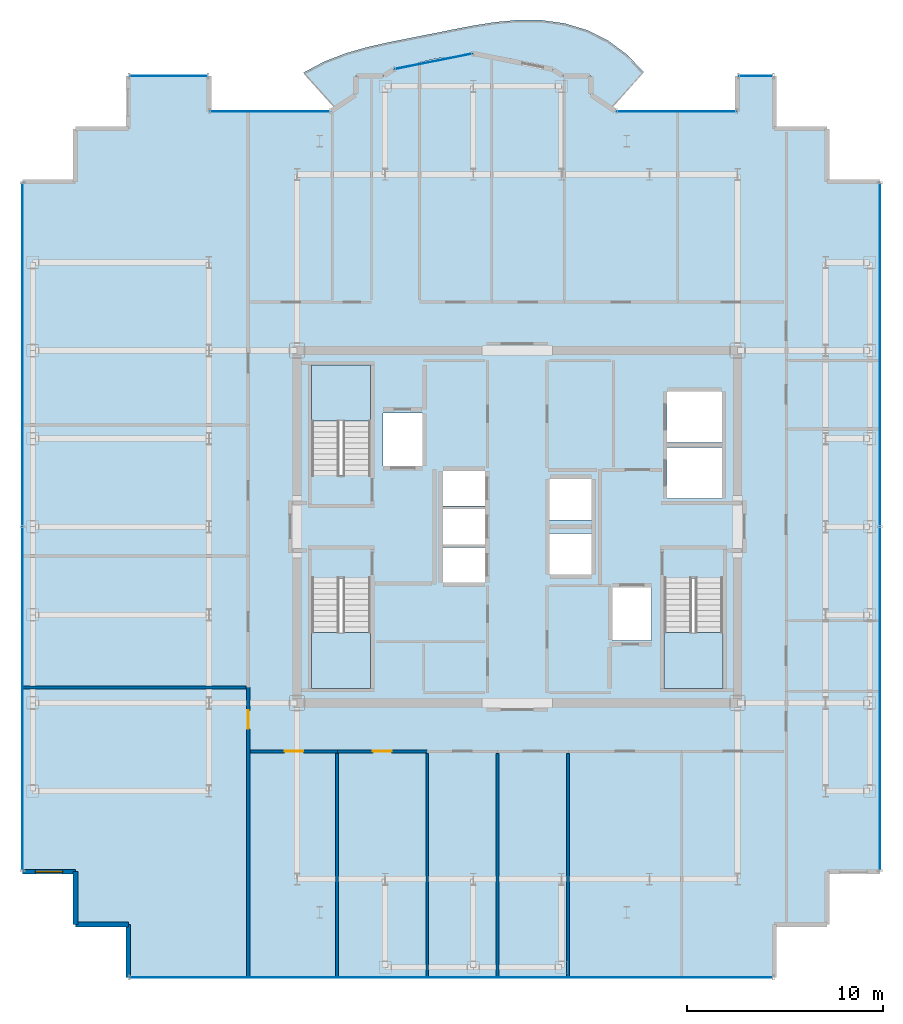
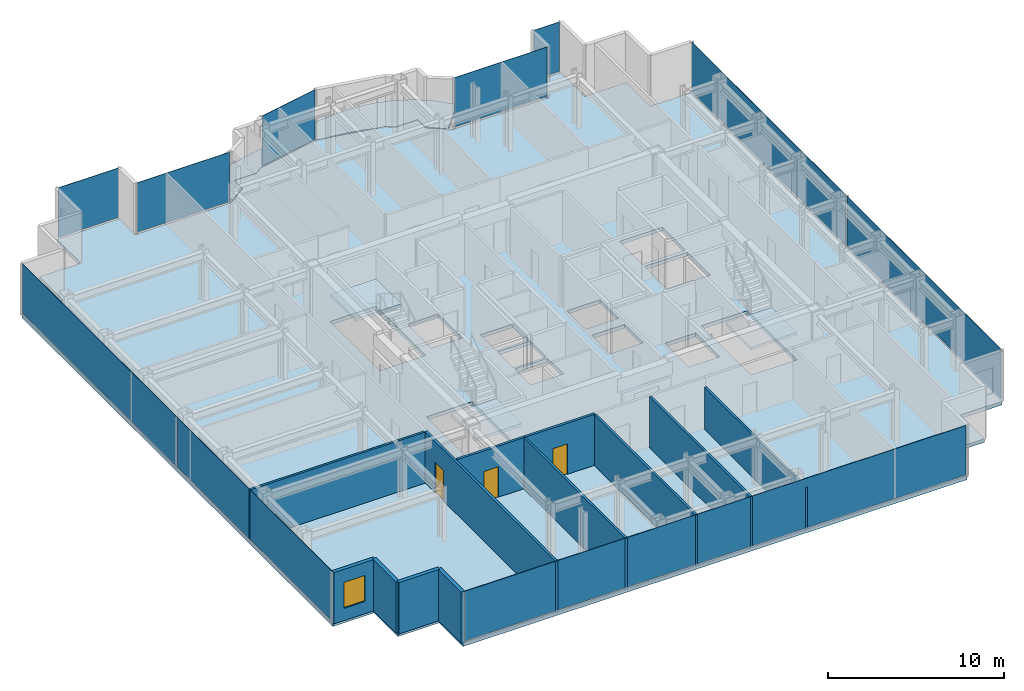
# One storey, part 12 of 18: 12 walls, 10 plates, 5 slabs, 3 doors, 1 window, 4 openings, 11 elements without a shape of their own.
"""IFC4 building model written with IfcOpenShell, lengths in metres."""

from ifc_helpers import new_model, si_unit, direction, frame, frame_2d, origin, origin_2d, place, context, subcontext, project, spatial, polyline, rectangle, outline, extrude, source, transform, mapped, material, layer, layer_set, type_object, element, fill, aggregate, save


model = new_model("IFC4")

# Units and contexts
model_context = context("Model", 3, precision=1e-05, world=origin(), true_north=direction((0.0, 1.0)))
body_context = subcontext(model_context, "Body", "Model", "MODEL_VIEW")
ifc_project = project(units=[si_unit("LENGTHUNIT", "METRE"), si_unit("AREAUNIT", "SQUARE_METRE"), si_unit("VOLUMEUNIT", "CUBIC_METRE"), si_unit("PLANEANGLEUNIT", "RADIAN"), si_unit("MASSUNIT", "GRAM", prefix="KILO")], contexts=[model_context])

# Site, building, storey
site_placement = place(None, origin())
site = spatial("IfcSite", under=ifc_project, at=site_placement, CompositionType="ELEMENT")
building_placement = place(site_placement, origin())
building = spatial("IfcBuilding", under=site, at=building_placement, Name="Nefas-Gora Pilgrimage Tower", CompositionType="ELEMENT")
storey_placement = place(building_placement, frame((0.0, 0.0, 272.199951171875)))
storey = spatial("IfcBuildingStorey", under=building, at=storey_placement, Name="L68", CompositionType="ELEMENT", Elevation=272.199951171875)

# Slabs
ifc_material_1 = material(Name="Concrete C40/50", Category="concrete")
ifc_layer_1 = layer(ifc_material_1, 0.22509765625)
ifc_layer_set_1 = layer_set([ifc_layer_1], Name="Concrete C40/50")
slab_type_1 = type_object("IfcSlabType", Name="SLB-BAL-P1", PredefinedType="FLOOR", material=ifc_layer_set_1)
slab_1_placement = place(storey_placement, frame((0.0, 0.0, -0.224853515625)))
element("IfcSlab", 1, at=slab_1_placement, inside=storey, type_object=slab_type_1, Name="L68 Sinusoidal Lobe Balcony Slab N (Phase 1)", PredefinedType="FLOOR", context=body_context, shape_type="SweptSolid", body=[
    extrude(outline(polyline([(-9.28759765625, 21.385986328125), (-9.224609375, 21.427978515625), (-8.538330078125, 21.9912109375), (-8.260009765625, 22.179931640625), (-8.260009765625, 23.02001953125), (-8.260009765625, 23.02099609375), (-8.259765625, 23.02197265625), (-8.259521484375, 23.02294921875), (-8.25927734375, 23.023681640625), (-8.2587890625, 23.024658203125), (-8.25830078125, 23.025634765625), (-8.2578125, 23.0263671875), (-8.257080078125, 23.027099609375), (-8.25634765625, 23.027587890625), (-8.255615234375, 23.0283203125), (-8.254638671875, 23.02880859375), (-8.25390625, 23.029296875), (-8.2529296875, 23.029541015625), (-8.251953125, 23.02978515625), (-8.2509765625, 23.030029296875), (-8.25, 23.030029296875), (-6.8271484375, 23.030029296875), (-6.31298828125, 23.37353515625), (-6.31201171875, 23.3740234375), (-6.311279296875, 23.37451171875), (-6.310302734375, 23.375), (-6.309326171875, 23.375), (-5.63037109375, 23.51025390625), (-5.102783203125, 23.685302734375), (-4.165283203125, 23.904052734375), (-3.211669921875, 24.035888671875), (-2.919921875, 24.04931640625), (-2.251953125, 24.18212890625), (-2.2509765625, 24.182373046875), (-2.25, 24.182373046875), (-2.2490234375, 24.182373046875), (-2.248046875, 24.18212890625), (-1.580078125, 24.04931640625), (-1.288330078125, 24.035888671875), (-0.334716796875, 23.904052734375), (0.602783203125, 23.685302734375), (1.13037109375, 23.51025390625), (1.809326171875, 23.375), (1.810302734375, 23.375), (1.811279296875, 23.37451171875), (1.81201171875, 23.3740234375), (1.81298828125, 23.37353515625), (2.3271484375, 23.030029296875), (3.75, 23.030029296875), (3.7509765625, 23.030029296875), (3.751953125, 23.02978515625), (3.7529296875, 23.029541015625), (3.75390625, 23.029296875), (3.754638671875, 23.02880859375), (3.755615234375, 23.0283203125), (3.75634765625, 23.027587890625), (3.757080078125, 23.027099609375), (3.7578125, 23.0263671875), (3.75830078125, 23.025634765625), (3.7587890625, 23.024658203125), (3.75927734375, 23.023681640625), (3.759521484375, 23.02294921875), (3.759765625, 23.02197265625), (3.760009765625, 23.02099609375), (3.760009765625, 23.02001953125), (3.760009765625, 22.179931640625), (4.038330078125, 21.9912109375), (4.724609375, 21.427978515625), (4.78759765625, 21.385986328125), (6.4453125, 23.22705078125), (5.615234375, 24.102783203125), (4.64697265625, 24.82470703125), (3.56640625, 25.364501953125), (2.41064453125, 25.711181640625), (1.22021484375, 25.87451171875), (0.031982421875, 25.882080078125), (-1.128662109375, 25.7744140625), (-2.25, 25.595947265625), (-3.335693359375, 25.38671875), (-4.400634765625, 25.17333984375), (-5.463623046875, 24.964599609375), (-6.54150390625, 24.749755859375), (-7.64111328125, 24.502197265625), (-8.754638671875, 24.184814453125), (-9.85888671875, 23.759521484375), (-10.916748046875, 23.1953125), (-9.28759765625, 21.385986328125)])), origin(), (0.0, 0.0, 1.0), 0.224853515625),
])
ifc_layer_2 = layer(ifc_material_1, 0.25)
ifc_layer_set_2 = layer_set([ifc_layer_2], Name="Concrete C40/50")
slab_type_2 = type_object("IfcSlabType", Name="SLB-TWR-260", PredefinedType="FLOOR", material=ifc_layer_set_2)
slab_2_placement = place(storey_placement, frame((0.0, 0.0, -0.25)))
element("IfcSlab", 2, at=slab_2_placement, inside=storey, type_object=slab_type_2, Name="L68 Structural Floor Slab", PredefinedType="FLOOR", context=body_context, shape_type="SweptSolid", body=[
    extrude(outline(polyline([(15.820068359375, -17.6201171875), (18.52001953125, -17.6201171875), (18.52001953125, 17.6201171875), (15.820068359375, 17.6201171875), (15.820068359375, 20.320068359375), (13.1201171875, 20.320068359375), (13.1201171875, 23.02001953125), (11.25, 23.02001953125), (11.25, 21.219970703125), (5.01806640625, 21.219970703125), (3.75, 22.0673828125), (3.75, 23.02001953125), (2.32421875, 23.02001953125), (1.807373046875, 23.365234375), (-2.25, 24.17236328125), (-6.307373046875, 23.365234375), (-6.82421875, 23.02001953125), (-8.25, 23.02001953125), (-8.25, 22.0673828125), (-9.51806640625, 21.219970703125), (-15.75, 21.219970703125), (-15.75, 23.02001953125), (-19.8701171875, 23.02001953125), (-19.8701171875, 20.320068359375), (-22.570068359375, 20.320068359375), (-22.570068359375, 17.6201171875), (-25.27001953125, 17.6201171875), (-25.27001953125, -17.6201171875), (-22.570068359375, -17.6201171875), (-22.570068359375, -20.320068359375), (-19.8701171875, -20.320068359375), (-19.8701171875, -23.02001953125), (13.1201171875, -23.02001953125), (13.1201171875, -20.320068359375), (15.820068359375, -20.320068359375), (15.820068359375, -17.6201171875)]), holes=[polyline([(-10.5, 2.639892578125), (-10.5, 8.25), (-7.5, 8.25), (-7.5, 2.639892578125), (-10.5, 2.639892578125)]), polyline([(10.5, -2.639892578125), (10.5, -8.25), (7.5, -8.25), (7.5, -2.639892578125), (10.5, -2.639892578125)]), polyline([(-7.5, -2.639892578125), (-7.5, -8.25), (-10.5, -8.25), (-10.5, -2.639892578125), (-7.5, -2.639892578125)]), polyline([(-6.85009765625, 5.800048828125), (-4.85009765625, 5.800048828125), (-4.85009765625, 3.10009765625), (-6.85009765625, 3.10009765625), (-6.85009765625, 5.800048828125)]), polyline([(4.85009765625, -3.10009765625), (6.85009765625, -3.10009765625), (6.85009765625, -5.800048828125), (4.85009765625, -5.800048828125), (4.85009765625, -3.10009765625)]), polyline([(7.64990234375, 4.050048828125), (10.449951171875, 4.050048828125), (10.449951171875, 1.449951171875), (7.64990234375, 1.449951171875), (7.64990234375, 4.050048828125)]), polyline([(7.64990234375, 6.89990234375), (10.449951171875, 6.89990234375), (10.449951171875, 4.300048828125), (7.64990234375, 4.300048828125), (7.64990234375, 6.89990234375)]), polyline([(-3.800048828125, -1.050048828125), (-1.64990234375, -1.050048828125), (-1.64990234375, -2.85009765625), (-3.800048828125, -2.85009765625), (-3.800048828125, -1.050048828125)]), polyline([(-3.800048828125, 0.89990234375), (-1.64990234375, 0.89990234375), (-1.64990234375, -0.89990234375), (-3.800048828125, -0.89990234375), (-3.800048828125, 0.89990234375)]), polyline([(-3.800048828125, 2.85009765625), (-1.64990234375, 2.85009765625), (-1.64990234375, 1.050048828125), (-3.800048828125, 1.050048828125), (-3.800048828125, 2.85009765625)]), polyline([(1.64990234375, -0.35009765625), (3.800048828125, -0.35009765625), (3.800048828125, -2.449951171875), (1.64990234375, -2.449951171875), (1.64990234375, -0.35009765625)]), polyline([(1.64990234375, 2.449951171875), (3.800048828125, 2.449951171875), (3.800048828125, 0.35009765625), (1.64990234375, 0.35009765625), (1.64990234375, 2.449951171875)])]), origin(), (0.0, 0.0, 1.0), 0.25),
])

# Stair, slab
ifc_material_2 = material(Name="Concrete C45/55", Category="concrete")
stair_type = type_object("IfcStairType", Name="STR-1400-R1727", PredefinedType="HALF_TURN_STAIR", material=ifc_material_2)
stair_1_placement = place(storey_placement, origin())
stair_1 = element("IfcStair", 3, at=stair_1_placement, inside=storey, type_object=stair_type, Name="L68 Pressurised Tower Exit Stair ST-01", PredefinedType="HALF_TURN_STAIR")
ifc_layer_3 = layer(ifc_material_1, 0.199951171875)
ifc_layer_set_3 = layer_set([ifc_layer_3], Name="Concrete C40/50")
slab_type_3 = type_object("IfcSlabType", Name="STR-LAND-200", PredefinedType="LANDING", material=ifc_layer_set_3)
slab_3_placement = place(storey_placement, frame((0.0, 0.0, 1.699951171875)))
slab_3 = element("IfcSlab", 4, at=slab_3_placement, type_object=slab_type_3, Name="ST-01 landing 1", PredefinedType="LANDING", context=body_context, shape_type="SweptSolid", body=[
    extrude(outline(polyline([(-7.5, 5.39990234375), (-7.5, 8.25), (-10.5, 8.25), (-10.5, 5.39990234375), (-7.5, 5.39990234375)])), origin(), (0.0, 0.0, 1.0), 0.2001953125),
])
aggregate(stair_1, [slab_3])

stair_2_placement = place(storey_placement, origin())
stair_2 = element("IfcStair", 5, at=stair_2_placement, inside=storey, type_object=stair_type, Name="L68 Pressurised Tower Exit Stair ST-02", PredefinedType="HALF_TURN_STAIR")
slab_4_placement = place(storey_placement, frame((0.0, 0.0, 1.699951171875)))
slab_4 = element("IfcSlab", 6, at=slab_4_placement, type_object=slab_type_3, Name="ST-02 landing 1", PredefinedType="LANDING", context=body_context, shape_type="SweptSolid", body=[
    extrude(outline(polyline([(7.5, -5.39990234375), (7.5, -8.25), (10.5, -8.25), (10.5, -5.39990234375), (7.5, -5.39990234375)])), origin(), (0.0, 0.0, 1.0), 0.2001953125),
])
aggregate(stair_2, [slab_4])

stair_3_placement = place(storey_placement, origin())
stair_3 = element("IfcStair", 7, at=stair_3_placement, inside=storey, type_object=stair_type, Name="L68 Pressurised Tower Exit Stair ST-03", PredefinedType="HALF_TURN_STAIR")
slab_5_placement = place(storey_placement, frame((0.0, 0.0, 1.699951171875)))
slab_5 = element("IfcSlab", 8, at=slab_5_placement, type_object=slab_type_3, Name="ST-03 landing 1", PredefinedType="LANDING", context=body_context, shape_type="SweptSolid", body=[
    extrude(outline(polyline([(-10.5, -5.39990234375), (-10.5, -8.25), (-7.5, -8.25), (-7.5, -5.39990234375), (-10.5, -5.39990234375)])), origin(), (0.0, 0.0, 1.0), 0.2001953125),
])
aggregate(stair_3, [slab_5])

# Curtain wall, plate
ifc_material_3 = material(Name="Dark ceramic-fritted solar-control aluminium-glass curtain wall", Category="aluminium")
ifc_layer_4 = layer(ifc_material_3, 0.219970703125)
ifc_layer_set_4 = layer_set([ifc_layer_4], Name="Dark ceramic-fritted solar-control aluminium-glass curtain wall")
curtain_wall_type_1 = type_object("IfcCurtainWallType", Name="CW-SYS-5", PredefinedType="NOTDEFINED", material=ifc_layer_set_4)
curtain_wall_1_placement = place(storey_placement, origin())
curtain_wall_1 = element("IfcCurtainWall", 9, at=curtain_wall_1_placement, inside=storey, type_object=curtain_wall_type_1, Name="L68 Unitised Curtain Wall CW5", PredefinedType="NOTDEFINED")
ifc_material_4 = material(Name="Dark ceramic-printed low-e insulated glass", Category="glass")
ifc_layer_5 = layer(ifc_material_4, 0.028076171875)
ifc_layer_set_5 = layer_set([ifc_layer_5], Name="Dark ceramic-printed low-e insulated glass")
plate_type_1 = type_object("IfcPlateType", Name="CWP-PNL-5", PredefinedType="CURTAIN_PANEL", material=ifc_layer_set_5)
shared_shape_1 = source(origin(), body_context, "Body", "SweptSolid", [
    extrude(rectangle(XDim=6.052001953125, YDim=0.028076171875, at=origin_2d()), origin(), (0.0, 0.0, 1.0), 3.43994140625),
])
plate_1_placement = place(storey_placement, frame((8.134033203125, 21.219970703125, 0.10009765625), z_axis=(0.0, 0.0, 1.0), x_axis=(-1.0, 0.0, 0.0)))
plate_1 = element("IfcPlate", 10, at=plate_1_placement, type_object=plate_type_1, Name="CW5 Ceramic-Fritted Glazing Panel 1", PredefinedType="CURTAIN_PANEL", context=body_context, shape_type="MappedRepresentation", body=[
    mapped(shared_shape_1, transform((0.0, 0.0, 0.0), x_axis=(1.0, 0.0, 0.0), y_axis=(0.0, 1.0, 0.0), z_axis=(0.0, 0.0, 1.0), scale=1.0)),
])
aggregate(curtain_wall_1, [plate_1])

curtain_wall_2_placement = place(storey_placement, origin())
curtain_wall_2 = element("IfcCurtainWall", 11, at=curtain_wall_2_placement, inside=storey, type_object=curtain_wall_type_1, Name="L68 Unitised Curtain Wall CW5", PredefinedType="NOTDEFINED")
plate_2_placement = place(storey_placement, frame((-12.634033203125, 21.219970703125, 0.10009765625), z_axis=(0.0, 0.0, 1.0), x_axis=(-1.0, 0.0, 0.0)))
plate_2 = element("IfcPlate", 12, at=plate_2_placement, type_object=plate_type_1, Name="CW5 Ceramic-Fritted Glazing Panel 1", PredefinedType="CURTAIN_PANEL", context=body_context, shape_type="MappedRepresentation", body=[
    mapped(shared_shape_1, transform((0.0, 0.0, 0.0), x_axis=(1.0, 0.0, 0.0), y_axis=(0.0, 1.0, 0.0), z_axis=(0.0, 0.0, 1.0), scale=1.0)),
])
aggregate(curtain_wall_2, [plate_2])

curtain_wall_3_placement = place(storey_placement, origin())
curtain_wall_3 = element("IfcCurtainWall", 13, at=curtain_wall_3_placement, inside=storey, type_object=curtain_wall_type_1, Name="L68 Unitised Curtain Wall CW5", PredefinedType="NOTDEFINED")
shared_shape_2 = source(origin(), body_context, "Body", "SweptSolid", [
    extrude(rectangle(XDim=3.956787109375, YDim=0.028076171875, at=origin_2d()), origin(), (0.0, 0.0, 1.0), 3.43994140625),
])
plate_3_placement = place(storey_placement, frame((-4.278564453125, 23.768798828125, 0.10009765625), z_axis=(0.0, 0.0, 1.0), x_axis=(-0.980782896852, -0.195102304554, 0.0)))
plate_3 = element("IfcPlate", 14, at=plate_3_placement, type_object=plate_type_1, Name="CW5 Ceramic-Fritted Glazing Panel 1", PredefinedType="CURTAIN_PANEL", context=body_context, shape_type="MappedRepresentation", body=[
    mapped(shared_shape_2, transform((0.0, 0.0, 0.0), x_axis=(1.0, 0.0, 0.0), y_axis=(0.0, 1.0, 0.0), z_axis=(0.0, 0.0, 1.0), scale=1.0)),
])
aggregate(curtain_wall_3, [plate_3])

ifc_layer_6 = layer(ifc_material_3, 0.219970703125)
ifc_layer_set_6 = layer_set([ifc_layer_6], Name="Dark ceramic-fritted solar-control aluminium-glass curtain wall")
curtain_wall_type_2 = type_object("IfcCurtainWallType", Name="CW-SYS-4", PredefinedType="NOTDEFINED", material=ifc_layer_set_6)
curtain_wall_4_placement = place(storey_placement, origin())
curtain_wall_4 = element("IfcCurtainWall", 15, at=curtain_wall_4_placement, inside=storey, type_object=curtain_wall_type_2, Name="L68 Unitised Curtain Wall CW4", PredefinedType="NOTDEFINED")
ifc_layer_7 = layer(ifc_material_4, 0.030029296875)
ifc_layer_set_7 = layer_set([ifc_layer_7], Name="Dark ceramic-printed low-e insulated glass")
plate_type_2 = type_object("IfcPlateType", Name="CWP-PNL-4", PredefinedType="CURTAIN_PANEL", material=ifc_layer_set_7)
shared_shape_3 = source(origin(), body_context, "Body", "SweptSolid", [
    extrude(rectangle(XDim=1.68994140625, YDim=0.030029296875, at=origin_2d()), origin(), (0.0, 0.0, 1.0), 3.43994140625),
])
plate_4_placement = place(storey_placement, frame((12.18505859375, 23.02001953125, 0.10009765625), z_axis=(0.0, 0.0, 1.0), x_axis=(-1.0, 0.0, 0.0)))
plate_4 = element("IfcPlate", 16, at=plate_4_placement, type_object=plate_type_2, Name="CW4 Ceramic-Fritted Glazing Panel 1", PredefinedType="CURTAIN_PANEL", context=body_context, shape_type="MappedRepresentation", body=[
    mapped(shared_shape_3, transform((0.0, 0.0, 0.0), x_axis=(1.0, 0.0, 0.0), y_axis=(0.0, 1.0, 0.0), z_axis=(0.0, 0.0, 1.0), scale=1.0)),
])
aggregate(curtain_wall_4, [plate_4])

curtain_wall_5_placement = place(storey_placement, origin())
curtain_wall_5 = element("IfcCurtainWall", 17, at=curtain_wall_5_placement, inside=storey, type_object=curtain_wall_type_2, Name="L68 Unitised Curtain Wall CW4", PredefinedType="NOTDEFINED")
shared_shape_4 = source(origin(), body_context, "Body", "SweptSolid", [
    extrude(rectangle(XDim=3.93994140625, YDim=0.030029296875, at=origin_2d()), origin(), (0.0, 0.0, 1.0), 3.43994140625),
])
plate_5_placement = place(storey_placement, frame((-17.81005859375, 23.02001953125, 0.10009765625), z_axis=(0.0, 0.0, 1.0), x_axis=(-1.0, 0.0, 0.0)))
plate_5 = element("IfcPlate", 18, at=plate_5_placement, type_object=plate_type_2, Name="CW4 Ceramic-Fritted Glazing Panel 1", PredefinedType="CURTAIN_PANEL", context=body_context, shape_type="MappedRepresentation", body=[
    mapped(shared_shape_4, transform((0.0, 0.0, 0.0), x_axis=(1.0, 0.0, 0.0), y_axis=(0.0, 1.0, 0.0), z_axis=(0.0, 0.0, 1.0), scale=1.0)),
])
aggregate(curtain_wall_5, [plate_5])

curtain_wall_6_placement = place(storey_placement, origin())
curtain_wall_6 = element("IfcCurtainWall", 19, at=curtain_wall_6_placement, inside=storey, type_object=curtain_wall_type_2, Name="L68 Unitised Curtain Wall CW4", PredefinedType="NOTDEFINED")
shared_shape_5 = source(origin(), body_context, "Body", "SweptSolid", [
    extrude(rectangle(XDim=32.81005859375, YDim=0.030029296875, at=origin_2d()), origin(), (0.0, 0.0, 1.0), 3.43994140625),
])
plate_6_placement = place(storey_placement, frame((-3.375, -23.02001953125, 0.10009765625), z_axis=(0.0, 0.0, 1.0), x_axis=(1.0, 0.0, 0.0)))
plate_6 = element("IfcPlate", 20, at=plate_6_placement, type_object=plate_type_2, Name="CW4 Ceramic-Fritted Glazing Panel 1", PredefinedType="CURTAIN_PANEL", context=body_context, shape_type="MappedRepresentation", body=[
    mapped(shared_shape_5, transform((0.0, 0.0, 0.0), x_axis=(1.0, 0.0, 0.0), y_axis=(0.0, 1.0, 0.0), z_axis=(0.0, 0.0, 1.0), scale=1.0)),
])
aggregate(curtain_wall_6, [plate_6])

# Curtain wall, plates
curtain_wall_7_placement = place(storey_placement, origin())
curtain_wall_7 = element("IfcCurtainWall", 21, at=curtain_wall_7_placement, inside=storey, type_object=curtain_wall_type_2, Name="L68 Unitised Curtain Wall CW4", PredefinedType="NOTDEFINED")
shared_shape_6 = source(origin(), body_context, "Body", "SweptSolid", [
    extrude(rectangle(XDim=17.485107421875, YDim=0.030029296875, at=origin_2d()), origin(), (0.0, 0.0, 1.0), 3.43994140625),
])
plate_7_placement = place(storey_placement, frame((18.52001953125, -8.78759765625, 0.10009765625), z_axis=(0.0, 0.0, 1.0), x_axis=(0.0, 1.0, 0.0)))
plate_7 = element("IfcPlate", 22, at=plate_7_placement, type_object=plate_type_2, Name="CW4 Ceramic-Fritted Glazing Panel 1", PredefinedType="CURTAIN_PANEL", context=body_context, shape_type="MappedRepresentation", body=[
    mapped(shared_shape_6, transform((0.0, 0.0, 0.0), x_axis=(1.0, 0.0, 0.0), y_axis=(0.0, 1.0, 0.0), z_axis=(0.0, 0.0, 1.0), scale=1.0)),
])
plate_8_placement = place(storey_placement, frame((18.52001953125, 8.78759765625, 0.10009765625), z_axis=(0.0, 0.0, 1.0), x_axis=(0.0, 1.0, 0.0)))
plate_8 = element("IfcPlate", 23, at=plate_8_placement, type_object=plate_type_2, Name="CW4 Ceramic-Fritted Glazing Panel 2", PredefinedType="CURTAIN_PANEL", context=body_context, shape_type="MappedRepresentation", body=[
    mapped(shared_shape_6, transform((0.0, 0.0, 0.0), x_axis=(1.0, 0.0, 0.0), y_axis=(0.0, 1.0, 0.0), z_axis=(0.0, 0.0, 1.0), scale=1.0)),
])
aggregate(curtain_wall_7, [plate_7, plate_8])

curtain_wall_8_placement = place(storey_placement, origin())
curtain_wall_8 = element("IfcCurtainWall", 24, at=curtain_wall_8_placement, inside=storey, type_object=curtain_wall_type_2, Name="L68 Unitised Curtain Wall CW4", PredefinedType="NOTDEFINED")
plate_9_placement = place(storey_placement, frame((-25.27001953125, 8.78759765625, 0.10009765625), z_axis=(0.0, 0.0, 1.0), x_axis=(0.0, -1.0, 0.0)))
plate_9 = element("IfcPlate", 25, at=plate_9_placement, type_object=plate_type_2, Name="CW4 Ceramic-Fritted Glazing Panel 1", PredefinedType="CURTAIN_PANEL", context=body_context, shape_type="MappedRepresentation", body=[
    mapped(shared_shape_6, transform((0.0, 0.0, 0.0), x_axis=(1.0, 0.0, 0.0), y_axis=(0.0, 1.0, 0.0), z_axis=(0.0, 0.0, 1.0), scale=1.0)),
])
plate_10_placement = place(storey_placement, frame((-25.27001953125, -8.78759765625, 0.10009765625), z_axis=(0.0, 0.0, 1.0), x_axis=(0.0, -1.0, 0.0)))
plate_10 = element("IfcPlate", 26, at=plate_10_placement, type_object=plate_type_2, Name="CW4 Ceramic-Fritted Glazing Panel 2", PredefinedType="CURTAIN_PANEL", context=body_context, shape_type="MappedRepresentation", body=[
    mapped(shared_shape_6, transform((0.0, 0.0, 0.0), x_axis=(1.0, 0.0, 0.0), y_axis=(0.0, 1.0, 0.0), z_axis=(0.0, 0.0, 1.0), scale=1.0)),
])
aggregate(curtain_wall_8, [plate_9, plate_10])

# Wall, opening, window
ifc_material_5 = material(Name="Precast concrete C45/55", Category="concrete")
ifc_layer_8 = layer(ifc_material_5, 0.239990234375)
ifc_layer_set_8 = layer_set([ifc_layer_8], Name="Precast concrete C45/55")
wall_type_1 = type_object("IfcWallType", Name="EW-SERR-240", PredefinedType="SHEAR", material=ifc_layer_set_8)
shared_shape_7 = source(origin(), body_context, "Body", "SweptSolid", [
    extrude(rectangle(XDim=2.699951171875, YDim=0.239990234375, at=frame_2d((1.35009765625, 0.0))), origin(), (0.0, 0.0, 1.0), 3.550048828125),
])
wall_1_placement = place(storey_placement, frame((-25.27001953125, -17.6201171875, 0.0), z_axis=(0.0, 0.0, 1.0), x_axis=(1.0, 0.0, 0.0)))
wall_1 = element("IfcWall", 27, at=wall_1_placement, inside=storey, type_object=wall_type_1, Name="L68 Serrated Corner Shear Pier Wall 21", PredefinedType="SHEAR", context=body_context, shape_type="MappedRepresentation", body=[
    mapped(shared_shape_7, transform((0.0, 0.0, 0.0), x_axis=(1.0, 0.0, 0.0), y_axis=(0.0, 1.0, 0.0), z_axis=(0.0, 0.0, 1.0), scale=1.0)),
])
opening_1_placement = place(wall_1_placement, frame((0.64990234375, 0.0, 0.85009765625)))
opening_1 = element("IfcOpeningElement", 28, at=opening_1_placement, cuts=wall_1, Name="Opening W-V2", PredefinedType="OPENING", context=body_context, shape_type="SweptSolid", body=[
    extrude(rectangle(XDim=1.39990234375, YDim=1.800048828125, at=frame_2d((0.699951171875, 0.89990234375))), frame((0.0, 0.1298828125, 0.0), z_axis=(0.0, -1.0, 0.0), x_axis=(1.0, 0.0, 0.0)), (0.0, 0.0, 1.0), 0.260009765625),
])
ifc_material_6 = material(Name="Dark ceramic-fritted operable aluminium-glass window", Category="aluminium")
window_type = type_object("IfcWindowType", Name="WIN-VENT-1400x1800", PartitioningType="SINGLE_PANEL", PredefinedType="WINDOW", material=ifc_material_6)
shared_shape_8 = source(origin(), body_context, "Body", "SweptSolid", [
    extrude(rectangle(XDim=1.39990234375, YDim=1.800048828125, at=frame_2d((0.699951171875, 0.89990234375))), frame((0.0, 0.030029296875, 0.0), z_axis=(0.0, -1.0, 0.0), x_axis=(1.0, 0.0, 0.0)), (0.0, 0.0, 1.0), 0.06005859375),
])
window_placement = place(opening_1_placement, origin())
window = element("IfcWindow", 29, at=window_placement, inside=storey, type_object=window_type, Name="L68 Operable Parallel-Outswing Window 21", OverallHeight=1.800048828125, OverallWidth=1.39990234375, PartitioningType="SINGLE_PANEL", PredefinedType="WINDOW", context=body_context, shape_type="MappedRepresentation", body=[
    mapped(shared_shape_8, transform((0.0, 0.0, 0.0), x_axis=(1.0, 0.0, 0.0), y_axis=(0.0, 1.0, 0.0), z_axis=(0.0, 0.0, 1.0), scale=1.0)),
])
fill(opening_1, window)

# Walls
for number, where, z_axis, x_axis, name in (
    (30, (-22.570068359375, -17.6201171875, 0.0), (0.0, 0.0, 1.0), (0.0, -1.0, 0.0), "L68 Serrated Corner Shear Pier Wall 22"),
    (31, (-22.570068359375, -20.320068359375, 0.0), (0.0, 0.0, 1.0), (1.0, 0.0, 0.0), "L68 Serrated Corner Shear Pier Wall 23"),
    (32, (-19.8701171875, -20.320068359375, 0.0), (0.0, 0.0, 1.0), (0.0, -1.0, 0.0), "L68 Serrated Corner Shear Pier Wall 24"),
):
    element("IfcWall", number, at=place(storey_placement, frame(where, z_axis=z_axis, x_axis=x_axis)), inside=storey, type_object=wall_type_1, Name=name, PredefinedType="SHEAR", context=body_context, shape_type="MappedRepresentation", body=[
        mapped(shared_shape_7, transform((0.0, 0.0, 0.0), x_axis=(1.0, 0.0, 0.0), y_axis=(0.0, 1.0, 0.0), z_axis=(0.0, 0.0, 1.0), scale=1.0)),
    ])
ifc_material_7 = material(Name="Gypsum twin-stud partition")
ifc_layer_9 = layer(ifc_material_7, 0.139892578125)
ifc_layer_set_9 = layer_set([ifc_layer_9], Name="Gypsum twin-stud partition")
wall_type_2 = type_object("IfcWallType", Name="IW-UNIT-140", PredefinedType="PARTITIONING", material=ifc_layer_set_9)
shared_shape_9 = source(origin(), body_context, "Body", "SweptSolid", [
    extrude(rectangle(XDim=11.429931640625, YDim=0.139892578125, at=frame_2d((5.71484375, 0.0))), origin(), (0.0, 0.0, 1.0), 3.53515625),
])
wall_2_placement = place(storey_placement, frame((-25.2900390625, -8.205078125, 0.0), z_axis=(0.0, 0.0, 1.0), x_axis=(1.0, 0.0, 0.0)))
element("IfcWall", 33, at=wall_2_placement, inside=storey, type_object=wall_type_2, Name="L68 Pilgrim Tea and Beverage Pantry Partition Wall 34", PredefinedType="PARTITIONING", context=body_context, shape_type="MappedRepresentation", body=[
    mapped(shared_shape_9, transform((0.0, 0.0, 0.0), x_axis=(1.0, 0.0, 0.0), y_axis=(0.0, 1.0, 0.0), z_axis=(0.0, 0.0, 1.0), scale=1.0)),
])

# Wall, opening, door
ifc_material_8 = material(Name="Gypsum acoustic stud partition")
ifc_layer_10 = layer(ifc_material_8, 0.159912109375)
ifc_layer_set_10 = layer_set([ifc_layer_10], Name="Gypsum acoustic stud partition")
wall_type_3 = type_object("IfcWallType", Name="IW-CORR-160", PredefinedType="PARTITIONING", material=ifc_layer_set_10)
shared_shape_10 = source(origin(), body_context, "Body", "SweptSolid", [
    extrude(rectangle(XDim=4.425048828125, YDim=0.159912109375, at=frame_2d((2.21240234375, 0.0))), origin(), (0.0, 0.0, 1.0), 3.53515625),
])
wall_3_placement = place(storey_placement, frame((-13.6201171875, -11.469970703125, 0.0), z_axis=(0.0, 0.0, 1.0), x_axis=(1.0, 0.0, 0.0)))
wall_3 = element("IfcWall", 34, at=wall_3_placement, inside=storey, type_object=wall_type_3, Name="L68 Pilgrim Contemplative Lounge Partition Wall 58", PredefinedType="PARTITIONING", context=body_context, shape_type="MappedRepresentation", body=[
    mapped(shared_shape_10, transform((0.0, 0.0, 0.0), x_axis=(1.0, 0.0, 0.0), y_axis=(0.0, 1.0, 0.0), z_axis=(0.0, 0.0, 1.0), scale=1.0)),
])
opening_2_placement = place(wall_3_placement, frame((1.737548828125, 0.0, 0.0)))
opening_2 = element("IfcOpeningElement", 35, at=opening_2_placement, cuts=wall_3, Name="Opening ID-GR1", PredefinedType="OPENING", context=body_context, shape_type="SweptSolid", body=[
    extrude(rectangle(XDim=0.949951171875, YDim=2.10009765625, at=frame_2d((0.47509765625, 1.050048828125))), frame((0.0, 0.08984375, 0.0), z_axis=(0.0, -1.0, 0.0), x_axis=(1.0, 0.0, 0.0)), (0.0, 0.0, 1.0), 0.179931640625),
])
ifc_material_9 = material(Name="Solid core oak fire-rated guest entrance door")
door_type = type_object("IfcDoorType", Name="DR-INT-GUEST-950", OperationType="NOTDEFINED", PredefinedType="DOOR", material=ifc_material_9)
shared_shape_11 = source(origin(), body_context, "Body", "SweptSolid", [
    extrude(rectangle(XDim=0.949951171875, YDim=2.10009765625, at=frame_2d((0.47509765625, 1.050048828125))), frame((0.0, 0.02490234375, 0.0), z_axis=(0.0, -1.0, 0.0), x_axis=(1.0, 0.0, 0.0)), (0.0, 0.0, 1.0), 0.050048828125),
])
door_1_placement = place(opening_2_placement, origin())
door_1 = element("IfcDoor", 36, at=door_1_placement, inside=storey, type_object=door_type, Name="L68 Pilgrim Contemplative Lounge Door 28", OperationType="SINGLE_SWING_LEFT", OverallHeight=2.10009765625, OverallWidth=0.949951171875, PredefinedType="DOOR", context=body_context, shape_type="MappedRepresentation", body=[
    mapped(shared_shape_11, transform((0.0, 0.0, 0.0), x_axis=(1.0, 0.0, 0.0), y_axis=(0.0, 1.0, 0.0), z_axis=(0.0, 0.0, 1.0), scale=1.0)),
])
fill(opening_2, door_1)

shared_shape_12 = source(origin(), body_context, "Body", "SweptSolid", [
    extrude(rectangle(XDim=4.610107421875, YDim=0.159912109375, at=frame_2d((2.30517578125, 0.0))), origin(), (0.0, 0.0, 1.0), 3.53515625),
])
wall_4_placement = place(storey_placement, frame((-9.205078125, -11.469970703125, 0.0), z_axis=(0.0, 0.0, 1.0), x_axis=(1.0, 0.0, 0.0)))
wall_4 = element("IfcWall", 37, at=wall_4_placement, inside=storey, type_object=wall_type_3, Name="L68 Pilgrim Contemplative Lounge Partition Wall 60", PredefinedType="PARTITIONING", context=body_context, shape_type="MappedRepresentation", body=[
    mapped(shared_shape_12, transform((0.0, 0.0, 0.0), x_axis=(1.0, 0.0, 0.0), y_axis=(0.0, 1.0, 0.0), z_axis=(0.0, 0.0, 1.0), scale=1.0)),
])
opening_3_placement = place(wall_4_placement, frame((1.830078125, 0.0, 0.0)))
opening_3 = element("IfcOpeningElement", 38, at=opening_3_placement, cuts=wall_4, Name="Opening ID-GR1", PredefinedType="OPENING", context=body_context, shape_type="SweptSolid", body=[
    extrude(rectangle(XDim=0.949951171875, YDim=2.10009765625, at=frame_2d((0.47509765625, 1.050048828125))), frame((0.0, 0.08984375, 0.0), z_axis=(0.0, -1.0, 0.0), x_axis=(1.0, 0.0, 0.0)), (0.0, 0.0, 1.0), 0.179931640625),
])
door_2_placement = place(opening_3_placement, origin())
door_2 = element("IfcDoor", 39, at=door_2_placement, inside=storey, type_object=door_type, Name="L68 Pilgrim Contemplative Lounge Door 29", OperationType="SINGLE_SWING_RIGHT", OverallHeight=2.10009765625, OverallWidth=0.949951171875, PredefinedType="DOOR", context=body_context, shape_type="MappedRepresentation", body=[
    mapped(shared_shape_11, transform((0.0, 0.0, 0.0), x_axis=(1.0, 0.0, 0.0), y_axis=(0.0, 1.0, 0.0), z_axis=(0.0, 0.0, 1.0), scale=1.0)),
])
fill(opening_3, door_2)

shared_shape_13 = source(origin(), body_context, "Body", "SweptSolid", [
    extrude(rectangle(XDim=14.844970703125, YDim=0.159912109375, at=frame_2d((7.42236328125, 0.0))), origin(), (0.0, 0.0, 1.0), 3.53515625),
])
wall_5_placement = place(storey_placement, frame((-13.739990234375, -23.0400390625, 0.0), z_axis=(0.0, 0.0, 1.0), x_axis=(0.0, 1.0, 0.0)))
wall_5 = element("IfcWall", 40, at=wall_5_placement, inside=storey, type_object=wall_type_3, Name="L68 Pilgrim Tea and Beverage Pantry Partition Wall 33", PredefinedType="PARTITIONING", context=body_context, shape_type="MappedRepresentation", body=[
    mapped(shared_shape_13, transform((0.0, 0.0, 0.0), x_axis=(1.0, 0.0, 0.0), y_axis=(0.0, 1.0, 0.0), z_axis=(0.0, 0.0, 1.0), scale=1.0)),
])
opening_4_placement = place(wall_5_placement, frame((12.71240234375, 0.0, 0.0)))
opening_4 = element("IfcOpeningElement", 41, at=opening_4_placement, cuts=wall_5, Name="Opening ID-GR1", PredefinedType="OPENING", context=body_context, shape_type="SweptSolid", body=[
    extrude(rectangle(XDim=0.949951171875, YDim=2.10009765625, at=frame_2d((0.47509765625, 1.050048828125))), frame((0.0, 0.08984375, 0.0), z_axis=(0.0, -1.0, 0.0), x_axis=(1.0, 0.0, 0.0)), (0.0, 0.0, 1.0), 0.179931640625),
])
door_3_placement = place(opening_4_placement, origin())
door_3 = element("IfcDoor", 42, at=door_3_placement, inside=storey, type_object=door_type, Name="L68 Pilgrim Tea and Beverage Pantry Door 14", OperationType="SINGLE_SWING_LEFT", OverallHeight=2.10009765625, OverallWidth=0.949951171875, PredefinedType="DOOR", context=body_context, shape_type="MappedRepresentation", body=[
    mapped(shared_shape_11, transform((0.0, 0.0, 0.0), x_axis=(1.0, 0.0, 0.0), y_axis=(0.0, 1.0, 0.0), z_axis=(0.0, 0.0, 1.0), scale=1.0)),
])
fill(opening_4, door_3)

# Walls
shared_shape_14 = source(origin(), body_context, "Body", "SweptSolid", [
    extrude(rectangle(XDim=11.449951171875, YDim=0.139892578125, at=frame_2d((5.72509765625, 0.0))), origin(), (0.0, 0.0, 1.0), 3.53515625),
])
for number, where, z_axis, x_axis, name in (
    (43, (-9.205078125, -23.0400390625, 0.0), (0.0, 0.0, 1.0), (0.0, 1.0, 0.0), "L68 Pilgrim Contemplative Lounge Partition Wall 59"),
    (44, (-4.60498046875, -23.0400390625, 0.0), (0.0, 0.0, 1.0), (0.0, 1.0, 0.0), "L68 Pilgrim Contemplative Lounge Partition Wall 61"),
    (45, (-1.010009765625, -23.0400390625, 0.0), (0.0, 0.0, 1.0), (0.0, 1.0, 0.0), "L68 Pilgrim Contemplative Lounge Partition Wall 63"),
):
    element("IfcWall", number, at=place(storey_placement, frame(where, z_axis=z_axis, x_axis=x_axis)), inside=storey, type_object=wall_type_2, Name=name, PredefinedType="PARTITIONING", context=body_context, shape_type="MappedRepresentation", body=[
        mapped(shared_shape_14, transform((0.0, 0.0, 0.0), x_axis=(1.0, 0.0, 0.0), y_axis=(0.0, 1.0, 0.0), z_axis=(0.0, 0.0, 1.0), scale=1.0)),
    ])
shared_shape_15 = source(origin(), body_context, "Body", "SweptSolid", [
    extrude(rectangle(XDim=11.449951171875, YDim=0.139892578125, at=frame_2d((5.72509765625, 0.0))), origin(), (0.0, 0.0, 1.0), 2.925048828125),
])
wall_6_placement = place(storey_placement, frame((2.594970703125, -23.0400390625, 0.0), z_axis=(0.0, 0.0, 1.0), x_axis=(0.0, 1.0, 0.0)))
element("IfcWall", 46, at=wall_6_placement, inside=storey, type_object=wall_type_2, Name="L68 Pilgrim Contemplative Lounge Partition Wall 65", PredefinedType="PARTITIONING", context=body_context, shape_type="MappedRepresentation", body=[
    mapped(shared_shape_15, transform((0.0, 0.0, 0.0), x_axis=(1.0, 0.0, 0.0), y_axis=(0.0, 1.0, 0.0), z_axis=(0.0, 0.0, 1.0), scale=1.0)),
])

save(model, "model.ifc")
